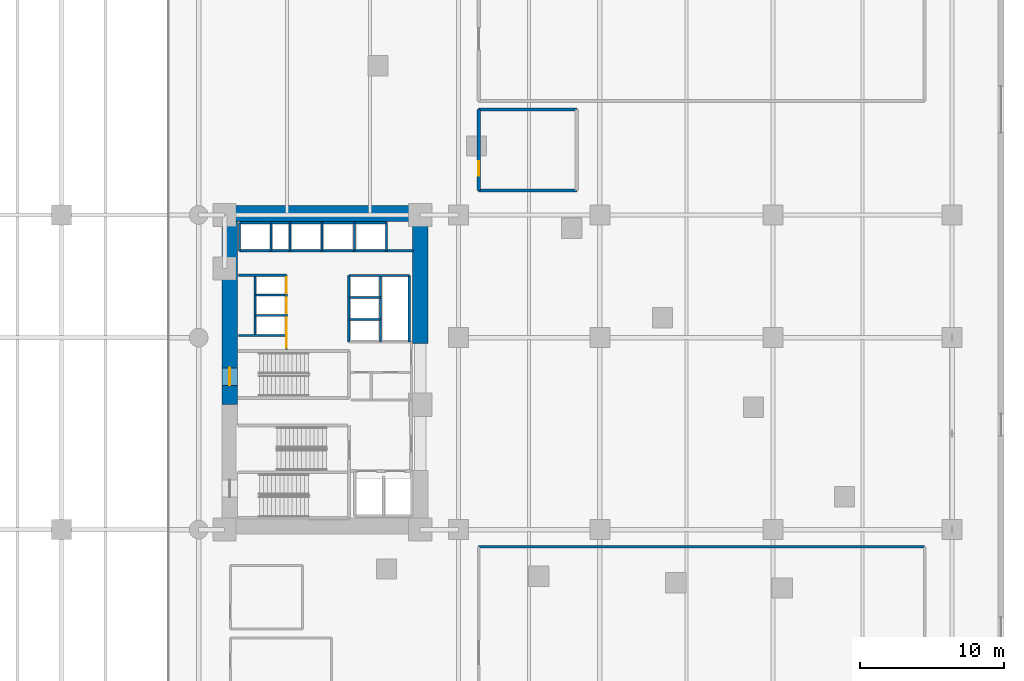
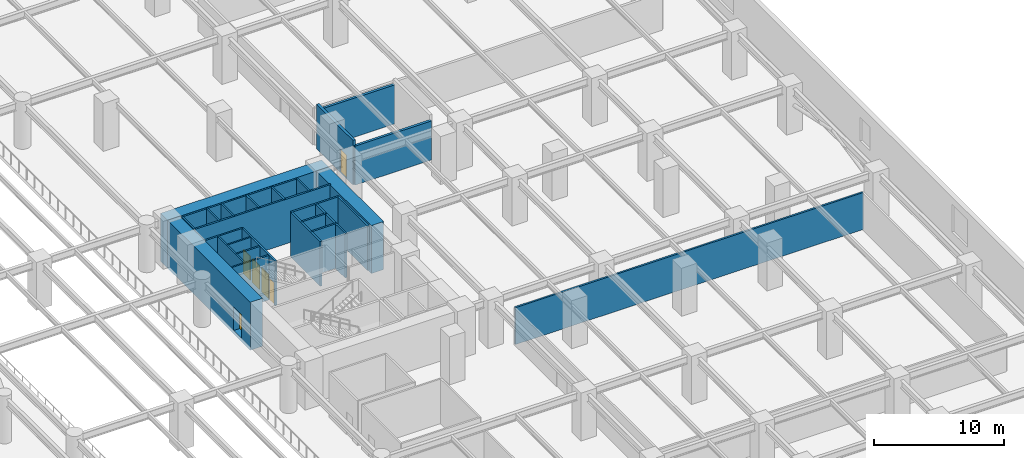
# One storey, part 14 of 32: 28 walls, 6 doors, 6 openings.
"""IFC4 building model written with IfcOpenShell, lengths in metres."""

import ifcopenshell
import ifcopenshell.guid

model = None  # the IFC model being written
_history = None  # IfcOwnerHistory: only IFC2X3 demands one
_inside = {}  # id of a spatial element -> (the spatial element, [elements in it])
_under = {}  # id of a project, library or spatial element -> (it, [spatial elements below it])
_declared = {}  # id of a project -> (the project, [libraries it declares])
_typed = {}  # id of a type object -> (the type object, [elements of that type])
_made_of = {}  # id of a material, layer set ... -> (it, [elements and type objects made of it])


def new_model(schema):
    """Start an empty IFC model of exactly this schema.

    Asked for "IFC4X3", IfcOpenShell would pick the latest addendum, in which some entities
    have other attributes; the version numbers below select the first issue.
    IFC2X3 requires an IfcOwnerHistory on every rooted entity: one is made here for all.
    """
    global model, _history
    if schema == "IFC4X3":
        model = ifcopenshell.file(schema_version=(4, 3, 0, 0))
    else:
        model = ifcopenshell.file(schema=schema)
    _inside.clear()
    _under.clear()
    _declared.clear()
    _typed.clear()
    _made_of.clear()
    _history = None
    if model.schema == "IFC2X3":
        org = make("IfcOrganization", Name="unknown")
        user = make(
            "IfcPersonAndOrganization",
            ThePerson=make("IfcPerson", FamilyName="unknown"),
            TheOrganization=org,
        )
        app = make(
            "IfcApplication",
            ApplicationDeveloper=org,
            Version="unknown",
            ApplicationFullName="unknown",
            ApplicationIdentifier="unknown",
        )
        _history = make(
            "IfcOwnerHistory",
            OwningUser=user,
            OwningApplication=app,
            ChangeAction="ADDED",
            CreationDate=0,
        )
    return model


def make(cls, **values):
    """One entity of the class cls with the attributes given. An attribute that is None is left unset."""
    return model.create_entity(
        cls, **{name: value for name, value in values.items() if value is not None}
    )


def rooted(cls, **values):
    """An entity with a GlobalId (a new one), such as an element, a storey or a relation."""
    return make(cls, GlobalId=ifcopenshell.guid.new(), OwnerHistory=_history, **values)


def si_unit(unit_type, name, prefix=None):
    """IfcSIUnit, for example si_unit("LENGTHUNIT", "METRE", prefix="MILLI")."""
    return make("IfcSIUnit", UnitType=unit_type, Prefix=prefix, Name=name)


def assignment(units):
    """IfcUnitAssignment: the units of a project."""
    return None if units is None else make("IfcUnitAssignment", Units=units)


def point(xyz):
    """IfcCartesianPoint."""
    return None if xyz is None else make("IfcCartesianPoint", Coordinates=xyz)


def direction(xyz):
    """IfcDirection."""
    return None if xyz is None else make("IfcDirection", DirectionRatios=xyz)


def frame(location, z_axis=None, x_axis=None):
    """IfcAxis2Placement3D, a coordinate frame: its origin and axes. An axis left out is left unset."""
    return make(
        "IfcAxis2Placement3D",
        Location=point(location),
        Axis=direction(z_axis),
        RefDirection=direction(x_axis),
    )


def frame_2d(location, x_axis=None):
    """IfcAxis2Placement2D, a coordinate frame in the plane: its origin and x axis."""
    return make(
        "IfcAxis2Placement2D", Location=point(location), RefDirection=direction(x_axis)
    )


def origin():
    """The frame at (0, 0, 0) with its axes left unset."""
    return frame((0.0, 0.0, 0.0))


def place(relative_to, where):
    """IfcLocalPlacement: puts the frame where relative to a parent placement (None: the world)."""
    return make(
        "IfcLocalPlacement", PlacementRelTo=relative_to, RelativePlacement=where
    )


def context(
    kind, dimensions, precision=None, world=None, true_north=None, identifier=None
):
    """IfcGeometricRepresentationContext, for example the 3D "Model" context."""
    return make(
        "IfcGeometricRepresentationContext",
        ContextIdentifier=identifier,
        ContextType=kind,
        CoordinateSpaceDimension=dimensions,
        Precision=precision,
        WorldCoordinateSystem=world,
        TrueNorth=true_north,
    )


def subcontext(parent, identifier, kind, view, scale=None):
    """IfcGeometricRepresentationSubContext, for example "Body" below "Model"."""
    return make(
        "IfcGeometricRepresentationSubContext",
        ContextIdentifier=identifier,
        ContextType=kind,
        ParentContext=parent,
        TargetScale=scale,
        TargetView=view,
    )


def project(units=None, contexts=None):
    """IfcProject with its units and contexts."""
    return rooted(
        "IfcProject",
        Name="project",
        RepresentationContexts=contexts,
        UnitsInContext=assignment(units),
    )


def spatial(cls, under=None, at=None, **own):
    """A site, building, storey or space (cls), placed at a placement, below another one or the project."""
    s = rooted(cls, ObjectPlacement=at, **own)
    if under is not None:
        _under.setdefault(under.id(), (under, []))[1].append(s)
    return s


def profile(cls, at=None, kind="AREA", **sizes):
    """A parametric profile (cls). Its sizes go by their IFC names, for example OverallWidth=200.0."""
    return make(cls, ProfileType=kind, Position=at, **sizes)


def rectangle(**sizes):
    """IfcRectangleProfileDef."""
    return profile("IfcRectangleProfileDef", **sizes)


def extrude(swept, where, along, depth):
    """IfcExtrudedAreaSolid: the profile swept, set in the frame where, extruded along a direction by depth."""
    return make(
        "IfcExtrudedAreaSolid",
        SweptArea=swept,
        Position=where,
        ExtrudedDirection=direction(along),
        Depth=depth,
    )


def shape(context_of_items, identifier, shape_type, items):
    """IfcShapeRepresentation: the items that make up one representation, for example the "Body"."""
    return make(
        "IfcShapeRepresentation",
        ContextOfItems=context_of_items,
        RepresentationIdentifier=identifier,
        RepresentationType=shape_type,
        Items=items,
    )


def material(Name=None, Category=None):
    """IfcMaterial."""
    return make("IfcMaterial", Name=Name, Category=Category)


def layer(
    of_material, thickness, ventilated=None, Name=None, Category=None, Priority=None
):
    """IfcMaterialLayer: one layer of a wall or slab, of a material (None: an air gap)."""
    return make(
        "IfcMaterialLayer",
        Material=of_material,
        LayerThickness=thickness,
        IsVentilated=ventilated,
        Name=Name,
        Category=Category,
        Priority=Priority,
    )


def layer_set(layers, Name=None):
    """IfcMaterialLayerSet."""
    return make("IfcMaterialLayerSet", MaterialLayers=layers, LayerSetName=Name)


def made_of(thing, what):
    """Note that an element or type object is made of a material, layer set ...; save() writes the relation."""
    if what is not None:
        _made_of.setdefault(what.id(), (what, []))[1].append(thing)
    return thing


def type_object(cls, material=None, **own):
    """A type object (cls), such as IfcWallType, which elements share."""
    return made_of(rooted(cls, **own), material)


def element(
    cls,
    number,
    at=None,
    inside=None,
    cuts=None,
    type_object=None,
    material=None,
    context=None,
    identifier="Body",
    shape_type=None,
    held_by="IfcProductDefinitionShape",
    body=None,
    shapes=None,
    **own,
):
    """One element of the class cls, such as IfcWall. Its Tag is "e" and its number.

    at: its placement. inside: the storey or other place that contains it. cuts: it is an
    opening in that element (IfcRelVoidsElement). A single representation is given by context,
    identifier, shape_type and body (its items); several are given by shapes. held_by: the class
    of the entity that holds the representations. save() writes the other relations.
    """
    e = rooted(cls, Tag="e%d" % number, ObjectPlacement=at, **own)
    if body is not None:
        shapes = [shape(context, identifier, shape_type, body)]
    if shapes is not None:
        e.Representation = make(held_by, Representations=shapes)
    if inside is not None:
        _inside.setdefault(inside.id(), (inside, []))[1].append(e)
    if cuts is not None:
        rooted(
            "IfcRelVoidsElement", RelatingBuildingElement=cuts, RelatedOpeningElement=e
        )
    if type_object is not None:
        _typed.setdefault(type_object.id(), (type_object, []))[1].append(e)
    return made_of(e, material)


def fill(opening, filler):
    """IfcRelFillsElement: the door or window that sits in an opening."""
    return rooted(
        "IfcRelFillsElement",
        RelatingOpeningElement=opening,
        RelatedBuildingElement=filler,
    )


def aggregate(whole, parts):
    """IfcRelAggregates: a whole, such as a stair, and the parts it consists of."""
    return rooted("IfcRelAggregates", RelatingObject=whole, RelatedObjects=parts)


def save(model, path):
    """Write the relations noted so far, then the file.

    IfcRelAggregates (storeys below a building ...), IfcRelContainedInSpatialStructure (elements
    in a storey), IfcRelDefinesByType, IfcRelAssociatesMaterial and IfcRelDeclares: one each for
    every whole, place, type object, material and project.
    """
    for whole, parts in _under.values():
        aggregate(whole, parts)
    for where, things in _inside.values():
        rooted(
            "IfcRelContainedInSpatialStructure",
            RelatedElements=things,
            RelatingStructure=where,
        )
    for kind, things in _typed.values():
        rooted("IfcRelDefinesByType", RelatedObjects=things, RelatingType=kind)
    for what, things in _made_of.values():
        rooted("IfcRelAssociatesMaterial", RelatedObjects=things, RelatingMaterial=what)
    for by, libraries in _declared.values():
        rooted("IfcRelDeclares", RelatingContext=by, RelatedDefinitions=libraries)
    model.write(path)


model = new_model("IFC4")

# Units and contexts
model_context = context("Model", 3, precision=1e-05, world=origin(), true_north=direction((0.0, 1.0)))
body_context = subcontext(model_context, "Body", "Model", "MODEL_VIEW")
ifc_project = project(units=[si_unit("LENGTHUNIT", "METRE"), si_unit("AREAUNIT", "SQUARE_METRE"), si_unit("VOLUMEUNIT", "CUBIC_METRE"), si_unit("PLANEANGLEUNIT", "RADIAN"), si_unit("MASSUNIT", "GRAM", prefix="KILO")], contexts=[model_context])

# Site, building, storey
site_placement = place(None, origin())
site = spatial("IfcSite", under=ifc_project, at=site_placement, CompositionType="ELEMENT")
building_placement = place(site_placement, origin())
building = spatial("IfcBuilding", under=site, at=building_placement, Name="Narakoshi Arena Tower", CompositionType="ELEMENT")
storey_placement = place(building_placement, frame((0.0, 0.0, 4.5)))
storey = spatial("IfcBuildingStorey", under=building, at=storey_placement, Name="L01", CompositionType="ELEMENT", Elevation=4.5)

# Walls
ifc_material_1 = material(Name="Concrete C40/50", Category="concrete")
ifc_layer_1 = layer(ifc_material_1, 0.219970703125)
ifc_layer_set_1 = layer_set([ifc_layer_1], Name="Concrete C40/50")
wall_type_1 = type_object("IfcWallType", Name="WL-COMP-220", PredefinedType="SOLIDWALL", material=ifc_layer_set_1)
for number, where, z_axis, x_axis, name in (
    (1, (89.60009765625, 58.199951171875, 0.0), (0.0, 0.0, 1.0), (1.0, 0.0, 0.0), "L01 Event Catering Kitchen Wall S"),
    (2, (96.39990234375, 63.800048828125, 0.0), (0.0, 0.0, 1.0), (-1.0, 0.0, 0.0), "L01 Event Catering Kitchen Wall N"),
):
    element("IfcWall", number, at=place(storey_placement, frame(where, z_axis=z_axis, x_axis=x_axis)), inside=storey, type_object=wall_type_1, Name=name, PredefinedType="SOLIDWALL", context=body_context, shape_type="SweptSolid", body=[
        extrude(rectangle(XDim=6.7998046875, YDim=0.219970703125, at=frame_2d((3.39990234375, 0.0))), origin(), (0.0, 0.0, 1.0), 3.6650390625),
    ])

# Wall, opening, door
wall_1_placement = place(storey_placement, frame((89.60009765625, 63.800048828125, 0.0), z_axis=(0.0, 0.0, 1.0), x_axis=(0.0, -1.0, 0.0)))
wall_1 = element("IfcWall", 3, at=wall_1_placement, inside=storey, type_object=wall_type_1, Name="L01 Event Catering Kitchen Wall W", PredefinedType="SOLIDWALL", context=body_context, shape_type="SweptSolid", body=[
    extrude(rectangle(XDim=5.60009765625, YDim=0.219970703125, at=frame_2d((2.800048828125, 0.0))), origin(), (0.0, 0.0, 1.0), 4.179931640625),
])
opening_1_placement = place(wall_1_placement, frame((3.587890625, 0.0, 0.0)))
opening_1 = element("IfcOpeningElement", 4, at=opening_1_placement, cuts=wall_1, Name="Opening D-06", PredefinedType="OPENING", context=body_context, shape_type="SweptSolid", body=[
    extrude(rectangle(XDim=1.0, YDim=2.199951171875, at=frame_2d((0.5, 1.10009765625))), frame((0.0, 0.119873046875, 0.0), z_axis=(0.0, -1.0, 0.0), x_axis=(1.0, 0.0, 0.0)), (0.0, 0.0, 1.0), 0.239990234375),
])
ifc_material_2 = material(Name="Stained oak solid-core timber", Category="wood")
door_type_1 = type_object("IfcDoorType", Name="DR-OFF-1000", OperationType="NOTDEFINED", PredefinedType="DOOR", material=ifc_material_2)
door_1_placement = place(opening_1_placement, frame((1.0, 0.0, 0.0), z_axis=(0.0, 0.0, 1.0), x_axis=(-1.0, 0.0, 0.0)))
door_1 = element("IfcDoor", 5, at=door_1_placement, inside=storey, type_object=door_type_1, Name="DR-L01-027", OperationType="SINGLE_SWING_LEFT", OverallHeight=2.199951171875, OverallWidth=1.0, PredefinedType="DOOR", context=body_context, shape_type="SweptSolid", body=[
    extrude(rectangle(XDim=1.0, YDim=2.199951171875, at=frame_2d((0.5, 1.10009765625))), frame((0.0, 0.02490234375, 0.0), z_axis=(0.0, -1.0, 0.0), x_axis=(1.0, 0.0, 0.0)), (0.0, 0.0, 1.0), 0.050048828125),
])
fill(opening_1, door_1)

ifc_material_3 = material(Name="Concrete C60/75", Category="concrete")
ifc_layer_2 = layer(ifc_material_3, 1.10009765625)
ifc_layer_set_2 = layer_set([ifc_layer_2], Name="Concrete C60/75")
wall_type_2 = type_object("IfcWallType", Name="WL-CORE-1100", PredefinedType="SHEAR", material=ifc_layer_set_2)
wall_2_placement = place(storey_placement, frame((72.35009765625, 43.35009765625, -0.320068359375), z_axis=(0.0, 0.0, 1.0), x_axis=(0.0, 1.0, 0.0)))
wall_2 = element("IfcWall", 6, at=wall_2_placement, inside=storey, type_object=wall_type_2, Name="L01 Main Core Shear Wall CW-MN-W", PredefinedType="SHEAR", context=body_context, shape_type="SweptSolid", body=[
    extrude(rectangle(XDim=12.699951171875, YDim=1.10009765625, at=frame_2d((6.35009765625, 0.0))), origin(), (0.0, 0.0, 1.0), 4.5),
])
opening_2_placement = place(wall_2_placement, frame((1.35009765625, 0.0, 0.320068359375)))
opening_2 = element("IfcOpeningElement", 7, at=opening_2_placement, cuts=wall_2, Name="Opening D-03", PredefinedType="OPENING", context=body_context, shape_type="SweptSolid", body=[
    extrude(rectangle(XDim=1.199951171875, YDim=2.199951171875, at=frame_2d((0.60009765625, 1.10009765625))), frame((0.0, 0.56005859375, 0.0), z_axis=(0.0, -1.0, 0.0), x_axis=(1.0, 0.0, 0.0)), (0.0, 0.0, 1.0), 1.1201171875),
])
ifc_material_4 = material(Name="Painted galvanized steel", Category="steel")
door_type_2 = type_object("IfcDoorType", Name="DR-STR-1200", OperationType="NOTDEFINED", PredefinedType="USERDEFINED", material=ifc_material_4)
door_2_placement = place(opening_2_placement, frame((1.199951171875, 0.0, 0.0), z_axis=(0.0, 0.0, 1.0), x_axis=(-1.0, 0.0, 0.0)))
door_2 = element("IfcDoor", 8, at=door_2_placement, inside=storey, type_object=door_type_2, Name="DR-L01-006", ObjectType="EXITDOOR", OperationType="SINGLE_SWING_LEFT", OverallHeight=2.199951171875, OverallWidth=1.199951171875, PredefinedType="USERDEFINED", context=body_context, shape_type="SweptSolid", body=[
    extrude(rectangle(XDim=1.199951171875, YDim=2.199951171875, at=frame_2d((0.60009765625, 1.10009765625))), frame((0.0, 0.02490234375, 0.0), z_axis=(0.0, -1.0, 0.0), x_axis=(1.0, 0.0, 0.0)), (0.0, 0.0, 1.0), 0.050048828125),
])
fill(opening_2, door_2)

# Walls
wall_3_placement = place(storey_placement, frame((71.800048828125, 56.60009765625, -0.320068359375), z_axis=(0.0, 0.0, 1.0), x_axis=(1.0, 0.0, 0.0)))
element("IfcWall", 9, at=wall_3_placement, inside=storey, type_object=wall_type_2, Name="L01 Main Core Shear Wall CW-MN-N", PredefinedType="SHEAR", context=body_context, shape_type="SweptSolid", body=[
    extrude(rectangle(XDim=14.300048828125, YDim=1.10009765625, at=frame_2d((7.14990234375, 0.0))), origin(), (0.0, 0.0, 1.0), 4.5),
])
wall_4_placement = place(storey_placement, frame((85.550048828125, 47.60009765625, -0.320068359375), z_axis=(0.0, 0.0, 1.0), x_axis=(0.0, 1.0, 0.0)))
element("IfcWall", 10, at=wall_4_placement, inside=storey, type_object=wall_type_2, Name="L01 Main Core Shear Wall CW-MN-E", PredefinedType="SHEAR", context=body_context, shape_type="SweptSolid", body=[
    extrude(rectangle(XDim=8.449951171875, YDim=1.10009765625, at=frame_2d((4.22509765625, 0.0))), origin(), (0.0, 0.0, 1.0), 4.5),
])
ifc_material_5 = material(Name="Gypsum plasterboard fire-rated partition")
ifc_layer_3 = layer(ifc_material_5, 0.1650390625)
ifc_layer_set_3 = layer_set([ifc_layer_3], Name="Gypsum plasterboard fire-rated partition")
wall_type_3 = type_object("IfcWallType", Name="WL-CORR-165", PredefinedType="PARTITIONING", material=ifc_layer_set_3)
wall_5_placement = place(storey_placement, frame((120.5, 33.5, 0.0), z_axis=(0.0, 0.0, 1.0), x_axis=(-1.0, 0.0, 0.0)))
element("IfcWall", 11, at=wall_5_placement, inside=storey, type_object=wall_type_3, Name="L01 VIP Hospitality Club Wall N", PredefinedType="PARTITIONING", context=body_context, shape_type="SweptSolid", body=[
    extrude(rectangle(XDim=30.89990234375, YDim=0.1650390625, at=frame_2d((15.449951171875, 0.0))), origin(), (0.0, 0.0, 1.0), 3.465087890625),
])
ifc_layer_4 = layer(ifc_material_1, 0.280029296875)
ifc_layer_set_4 = layer_set([ifc_layer_4], Name="Concrete C40/50")
wall_type_4 = type_object("IfcWallType", Name="WL-RISER-280", PredefinedType="PLUMBINGWALL", material=ifc_layer_set_4)
wall_6_placement = place(storey_placement, frame((72.949951171875, 48.159912109375, 0.0), z_axis=(0.0, 0.0, 1.0), x_axis=(1.0, 0.0, 0.0)))
element("IfcWall", 12, at=wall_6_placement, inside=storey, type_object=wall_type_4, Name="L01 Core Wall LR-S0", PredefinedType="PLUMBINGWALL", context=body_context, shape_type="SweptSolid", body=[
    extrude(rectangle(XDim=3.239990234375, YDim=0.139892578125, at=frame_2d((1.6201171875, 0.0))), origin(), (0.0, 0.0, 1.0), 4.179931640625),
])
for number, where, z_axis, x_axis, name in (
    (13, (74.14990234375, 49.550048828125, 0.0), (0.0, 0.0, 1.0), (1.0, 0.0, 0.0), "L01 Core Wall LR-D1"),
    (14, (74.14990234375, 50.949951171875, 0.0), (0.0, 0.0, 1.0), (1.0, 0.0, 0.0), "L01 Core Wall LR-D2"),
):
    element("IfcWall", number, at=place(storey_placement, frame(where, z_axis=z_axis, x_axis=x_axis)), inside=storey, type_object=wall_type_4, Name=name, PredefinedType="PLUMBINGWALL", context=body_context, shape_type="SweptSolid", body=[
        extrude(rectangle(XDim=2.0400390625, YDim=0.139892578125, at=frame_2d((1.02001953125, 0.0))), origin(), (0.0, 0.0, 1.0), 4.179931640625),
    ])
wall_7_placement = place(storey_placement, frame((74.10009765625, 48.159912109375, 0.0), z_axis=(0.0, 0.0, 1.0), x_axis=(0.0, 1.0, 0.0)))
element("IfcWall", 15, at=wall_7_placement, inside=storey, type_object=wall_type_4, Name="L01 Core Wall LR-W", PredefinedType="PLUMBINGWALL", context=body_context, shape_type="SweptSolid", body=[
    extrude(rectangle(XDim=4.16015625, YDim=0.139892578125, at=frame_2d((2.080078125, 0.0))), origin(), (0.0, 0.0, 1.0), 4.179931640625),
])
for number, where, z_axis, x_axis, name in (
    (16, (80.60009765625, 49.260009765625, 0.0), (0.0, 0.0, 1.0), (1.0, 0.0, 0.0), "L01 Core Wall MR-D1"),
    (17, (80.60009765625, 50.780029296875, 0.0), (0.0, 0.0, 1.0), (1.0, 0.0, 0.0), "L01 Core Wall MR-D2"),
):
    element("IfcWall", number, at=place(storey_placement, frame(where, z_axis=z_axis, x_axis=x_axis)), inside=storey, type_object=wall_type_4, Name=name, PredefinedType="PLUMBINGWALL", context=body_context, shape_type="SweptSolid", body=[
        extrude(rectangle(XDim=2.199951171875, YDim=0.14990234375, at=frame_2d((1.10009765625, 0.0))), origin(), (0.0, 0.0, 1.0), 4.179931640625),
    ])
wall_8_placement = place(storey_placement, frame((82.800048828125, 47.699951171875, 0.0), z_axis=(0.0, 0.0, 1.0), x_axis=(0.0, 1.0, 0.0)))
element("IfcWall", 18, at=wall_8_placement, inside=storey, type_object=wall_type_4, Name="L01 Core Wall MR-E", PredefinedType="PLUMBINGWALL", context=body_context, shape_type="SweptSolid", body=[
    extrude(rectangle(XDim=4.60009765625, YDim=0.14990234375, at=frame_2d((2.300048828125, 0.0))), origin(), (0.0, 0.0, 1.0), 4.179931640625),
])
for number, where, z_axis, x_axis, name in (
    (19, (73.02001953125, 54.02001953125, 0.0), (0.0, 0.0, 1.0), (0.0, 1.0, 0.0), "L01 Core Wall OBS-W"),
    (20, (75.219970703125, 54.02001953125, 0.0), (0.0, 0.0, 1.0), (0.0, 1.0, 0.0), "L01 Core Wall OBS-M"),
):
    element("IfcWall", number, at=place(storey_placement, frame(where, z_axis=z_axis, x_axis=x_axis)), inside=storey, type_object=wall_type_4, Name=name, PredefinedType="PLUMBINGWALL", context=body_context, shape_type="SweptSolid", body=[
        extrude(rectangle(XDim=1.93994140625, YDim=0.14990234375, at=frame_2d((0.969970703125, 0.0))), origin(), (0.0, 0.0, 1.0), 4.179931640625),
    ])
for number, where, z_axis, x_axis, name in (
    (21, (78.75, 54.02001953125, 0.0), (0.0, 0.0, 1.0), (0.0, 1.0, 0.0), "L01 Core Wall HR-D1"),
    (22, (81.0, 54.02001953125, 0.0), (0.0, 0.0, 1.0), (0.0, 1.0, 0.0), "L01 Core Wall HR-D2"),
):
    element("IfcWall", number, at=place(storey_placement, frame(where, z_axis=z_axis, x_axis=x_axis)), inside=storey, type_object=wall_type_4, Name=name, PredefinedType="PLUMBINGWALL", context=body_context, shape_type="SweptSolid", body=[
        extrude(rectangle(XDim=1.9599609375, YDim=0.14990234375, at=frame_2d((0.97998046875, 0.0))), origin(), (0.0, 0.0, 1.0), 4.179931640625),
    ])

# Wall, openings, doors
ifc_material_6 = material(Name="Concrete C50/60", Category="concrete")
ifc_layer_5 = layer(ifc_material_6, 0.35009765625)
ifc_layer_set_5 = layer_set([ifc_layer_5], Name="Concrete C50/60")
wall_type_5 = type_object("IfcWallType", Name="WL-SHAFT-350", PredefinedType="SOLIDWALL", material=ifc_layer_set_5)
wall_9_placement = place(storey_placement, frame((76.280029296875, 47.179931640625, 0.0), z_axis=(0.0, 0.0, 1.0), x_axis=(0.0, 1.0, 0.0)))
wall_9 = element("IfcWall", 23, at=wall_9_placement, inside=storey, type_object=wall_type_5, Name="L01 Core Wall LR-E", PredefinedType="SOLIDWALL", context=body_context, shape_type="SweptSolid", body=[
    extrude(rectangle(XDim=5.14013671875, YDim=0.159912109375, at=frame_2d((2.570068359375, 0.0))), origin(), (0.0, 0.0, 1.0), 4.179931640625),
])
opening_3_placement = place(wall_9_placement, frame((1.10009765625, 0.0, 0.0)))
opening_3 = element("IfcOpeningElement", 24, at=opening_3_placement, cuts=wall_9, Name="Opening LD-01", PredefinedType="OPENING", context=body_context, shape_type="SweptSolid", body=[
    extrude(rectangle(XDim=1.10009765625, YDim=2.25, at=frame_2d((0.550048828125, 1.125))), frame((0.0, 0.08984375, 0.0), z_axis=(0.0, -1.0, 0.0), x_axis=(1.0, 0.0, 0.0)), (0.0, 0.0, 1.0), 0.179931640625),
])
opening_4_placement = place(wall_9_placement, frame((2.5, 0.0, 0.0)))
opening_4 = element("IfcOpeningElement", 25, at=opening_4_placement, cuts=wall_9, Name="Opening LD-01", PredefinedType="OPENING", context=body_context, shape_type="SweptSolid", body=[
    extrude(rectangle(XDim=1.10009765625, YDim=2.25, at=frame_2d((0.550048828125, 1.125))), frame((0.0, 0.08984375, 0.0), z_axis=(0.0, -1.0, 0.0), x_axis=(1.0, 0.0, 0.0)), (0.0, 0.0, 1.0), 0.179931640625),
])
opening_5_placement = place(wall_9_placement, frame((3.89990234375, 0.0, 0.0)))
opening_5 = element("IfcOpeningElement", 26, at=opening_5_placement, cuts=wall_9, Name="Opening LD-01", PredefinedType="OPENING", context=body_context, shape_type="SweptSolid", body=[
    extrude(rectangle(XDim=1.10009765625, YDim=2.25, at=frame_2d((0.550048828125, 1.125))), frame((0.0, 0.08984375, 0.0), z_axis=(0.0, -1.0, 0.0), x_axis=(1.0, 0.0, 0.0)), (0.0, 0.0, 1.0), 0.179931640625),
])
opening_6_placement = place(wall_9_placement, frame((0.1201171875, 0.0, 0.0)))
opening_6 = element("IfcOpeningElement", 27, at=opening_6_placement, cuts=wall_9, Name="Opening D-10", PredefinedType="OPENING", context=body_context, shape_type="SweptSolid", body=[
    extrude(rectangle(XDim=0.85009765625, YDim=2.050048828125, at=frame_2d((0.425048828125, 1.02490234375))), frame((0.0, 0.08984375, 0.0), z_axis=(0.0, -1.0, 0.0), x_axis=(1.0, 0.0, 0.0)), (0.0, 0.0, 1.0), 0.179931640625),
])
ifc_material_7 = material(Name="Brushed bronze stainless steel", Category="steel")
door_type_3 = type_object("IfcDoorType", Name="DR-LFT-1100", OperationType="DOUBLE_DOOR_SLIDING", PredefinedType="DOOR", material=ifc_material_7)
door_3_placement = place(opening_3_placement, origin())
door_3 = element("IfcDoor", 28, at=door_3_placement, inside=storey, type_object=door_type_3, Name="DR-L01-010", OperationType="DOUBLE_DOOR_SLIDING", OverallHeight=2.25, OverallWidth=1.10009765625, PredefinedType="DOOR", context=body_context, shape_type="SweptSolid", body=[
    extrude(rectangle(XDim=1.10009765625, YDim=2.25, at=frame_2d((0.550048828125, 1.125))), frame((0.0, 0.02490234375, 0.0), z_axis=(0.0, -1.0, 0.0), x_axis=(1.0, 0.0, 0.0)), (0.0, 0.0, 1.0), 0.050048828125),
])
fill(opening_3, door_3)
door_4_placement = place(opening_4_placement, origin())
door_4 = element("IfcDoor", 29, at=door_4_placement, inside=storey, type_object=door_type_3, Name="DR-L01-011", OperationType="DOUBLE_DOOR_SLIDING", OverallHeight=2.25, OverallWidth=1.10009765625, PredefinedType="DOOR", context=body_context, shape_type="SweptSolid", body=[
    extrude(rectangle(XDim=1.10009765625, YDim=2.25, at=frame_2d((0.550048828125, 1.125))), frame((0.0, 0.02490234375, 0.0), z_axis=(0.0, -1.0, 0.0), x_axis=(1.0, 0.0, 0.0)), (0.0, 0.0, 1.0), 0.050048828125),
])
fill(opening_4, door_4)
door_5_placement = place(opening_5_placement, origin())
door_5 = element("IfcDoor", 30, at=door_5_placement, inside=storey, type_object=door_type_3, Name="DR-L01-012", OperationType="DOUBLE_DOOR_SLIDING", OverallHeight=2.25, OverallWidth=1.10009765625, PredefinedType="DOOR", context=body_context, shape_type="SweptSolid", body=[
    extrude(rectangle(XDim=1.10009765625, YDim=2.25, at=frame_2d((0.550048828125, 1.125))), frame((0.0, 0.02490234375, 0.0), z_axis=(0.0, -1.0, 0.0), x_axis=(1.0, 0.0, 0.0)), (0.0, 0.0, 1.0), 0.050048828125),
])
fill(opening_5, door_5)
door_type_4 = type_object("IfcDoorType", Name="DR-RSR-850", OperationType="NOTDEFINED", PredefinedType="DOOR", material=ifc_material_4)
door_6_placement = place(opening_6_placement, frame((0.85009765625, 0.0, 0.0), z_axis=(0.0, 0.0, 1.0), x_axis=(-1.0, 0.0, 0.0)))
door_6 = element("IfcDoor", 31, at=door_6_placement, inside=storey, type_object=door_type_4, Name="DR-L01-013", OperationType="SINGLE_SWING_LEFT", OverallHeight=2.050048828125, OverallWidth=0.85009765625, PredefinedType="DOOR", context=body_context, shape_type="SweptSolid", body=[
    extrude(rectangle(XDim=0.85009765625, YDim=2.050048828125, at=frame_2d((0.425048828125, 1.02490234375))), frame((0.0, 0.02490234375, 0.0), z_axis=(0.0, -1.0, 0.0), x_axis=(1.0, 0.0, 0.0)), (0.0, 0.0, 1.0), 0.050048828125),
])
fill(opening_6, door_6)

# Walls
wall_10_placement = place(storey_placement, frame((72.949951171875, 52.320068359375, 0.0), z_axis=(0.0, 0.0, 1.0), x_axis=(1.0, 0.0, 0.0)))
element("IfcWall", 32, at=wall_10_placement, inside=storey, type_object=wall_type_5, Name="L01 Core Wall LR-N", PredefinedType="SOLIDWALL", context=body_context, shape_type="SweptSolid", body=[
    extrude(rectangle(XDim=3.330078125, YDim=0.14990234375, at=frame_2d((1.6650390625, 0.0))), origin(), (0.0, 0.0, 1.0), 4.179931640625),
])
wall_11_placement = place(storey_placement, frame((80.60009765625, 47.699951171875, 0.0), z_axis=(0.0, 0.0, 1.0), x_axis=(0.0, 1.0, 0.0)))
element("IfcWall", 33, at=wall_11_placement, inside=storey, type_object=wall_type_5, Name="L01 Core Wall MR-W", PredefinedType="SOLIDWALL", context=body_context, shape_type="SweptSolid", body=[
    extrude(rectangle(XDim=4.60009765625, YDim=0.159912109375, at=frame_2d((2.300048828125, 0.0))), origin(), (0.0, 0.0, 1.0), 4.179931640625),
])
wall_12_placement = place(storey_placement, frame((80.60009765625, 52.300048828125, 0.0), z_axis=(0.0, 0.0, 1.0), x_axis=(1.0, 0.0, 0.0)))
element("IfcWall", 34, at=wall_12_placement, inside=storey, type_object=wall_type_5, Name="L01 Core Wall MR-N", PredefinedType="SOLIDWALL", context=body_context, shape_type="SweptSolid", body=[
    extrude(rectangle(XDim=4.219970703125, YDim=0.159912109375, at=frame_2d((2.10986328125, 0.0))), origin(), (0.0, 0.0, 1.0), 4.179931640625),
])
wall_13_placement = place(storey_placement, frame((84.780029296875, 47.699951171875, 0.0), z_axis=(0.0, 0.0, 1.0), x_axis=(0.0, 1.0, 0.0)))
element("IfcWall", 35, at=wall_13_placement, inside=storey, type_object=wall_type_5, Name="L01 Core Wall MR-E2", PredefinedType="SOLIDWALL", context=body_context, shape_type="SweptSolid", body=[
    extrude(rectangle(XDim=4.60009765625, YDim=0.159912109375, at=frame_2d((2.300048828125, 0.0))), origin(), (0.0, 0.0, 1.0), 4.179931640625),
])
wall_14_placement = place(storey_placement, frame((73.02001953125, 54.02001953125, 0.0), z_axis=(0.0, 0.0, 1.0), x_axis=(1.0, 0.0, 0.0)))
element("IfcWall", 36, at=wall_14_placement, inside=storey, type_object=wall_type_5, Name="L01 Core Wall NSHF-S", PredefinedType="SOLIDWALL", context=body_context, shape_type="SweptSolid", body=[
    extrude(rectangle(XDim=12.080078125, YDim=0.159912109375, at=frame_2d((6.0400390625, 0.0))), origin(), (0.0, 0.0, 1.0), 4.179931640625),
])
wall_15_placement = place(storey_placement, frame((73.02001953125, 55.9599609375, 0.0), z_axis=(0.0, 0.0, 1.0), x_axis=(1.0, 0.0, 0.0)))
element("IfcWall", 37, at=wall_15_placement, inside=storey, type_object=wall_type_5, Name="L01 Core Wall OBS-N", PredefinedType="SOLIDWALL", context=body_context, shape_type="SweptSolid", body=[
    extrude(rectangle(XDim=3.5, YDim=0.14990234375, at=frame_2d((1.75, 0.0))), origin(), (0.0, 0.0, 1.0), 4.179931640625),
])
wall_16_placement = place(storey_placement, frame((76.52001953125, 54.02001953125, 0.0), z_axis=(0.0, 0.0, 1.0), x_axis=(0.0, 1.0, 0.0)))
element("IfcWall", 38, at=wall_16_placement, inside=storey, type_object=wall_type_5, Name="L01 Core Wall OBS-E", PredefinedType="SOLIDWALL", context=body_context, shape_type="SweptSolid", body=[
    extrude(rectangle(XDim=1.93994140625, YDim=0.14990234375, at=frame_2d((0.969970703125, 0.0))), origin(), (0.0, 0.0, 1.0), 4.179931640625),
])
wall_17_placement = place(storey_placement, frame((83.219970703125, 54.02001953125, 0.0), z_axis=(0.0, 0.0, 1.0), x_axis=(0.0, 1.0, 0.0)))
element("IfcWall", 39, at=wall_17_placement, inside=storey, type_object=wall_type_5, Name="L01 Core Wall HR-E", PredefinedType="SOLIDWALL", context=body_context, shape_type="SweptSolid", body=[
    extrude(rectangle(XDim=1.9599609375, YDim=0.14990234375, at=frame_2d((0.97998046875, 0.0))), origin(), (0.0, 0.0, 1.0), 4.179931640625),
])
wall_18_placement = place(storey_placement, frame((76.52001953125, 55.9599609375, 0.0), z_axis=(0.0, 0.0, 1.0), x_axis=(1.0, 0.0, 0.0)))
element("IfcWall", 40, at=wall_18_placement, inside=storey, type_object=wall_type_5, Name="L01 Core Wall HR-N", PredefinedType="SOLIDWALL", context=body_context, shape_type="SweptSolid", body=[
    extrude(rectangle(XDim=6.699951171875, YDim=0.14990234375, at=frame_2d((3.35009765625, 0.0))), origin(), (0.0, 0.0, 1.0), 4.179931640625),
])

save(model, "model.ifc")
